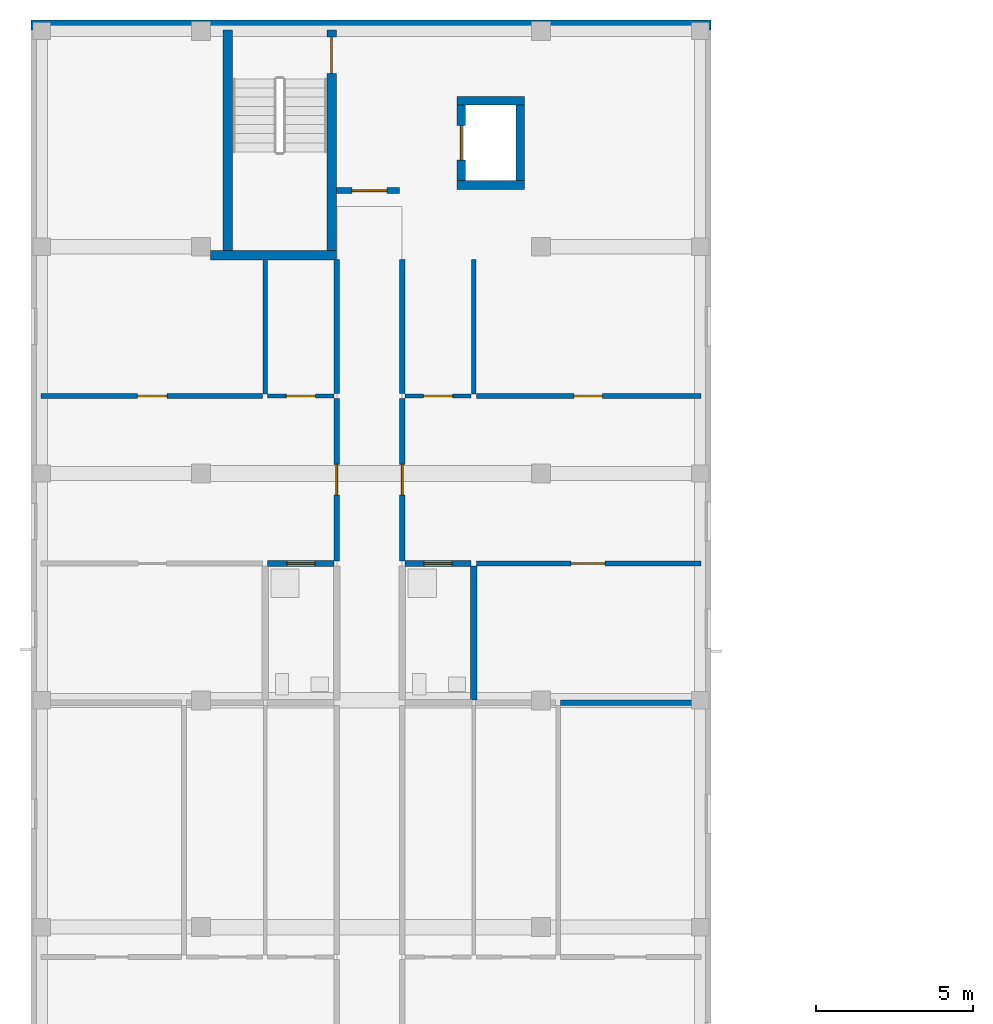
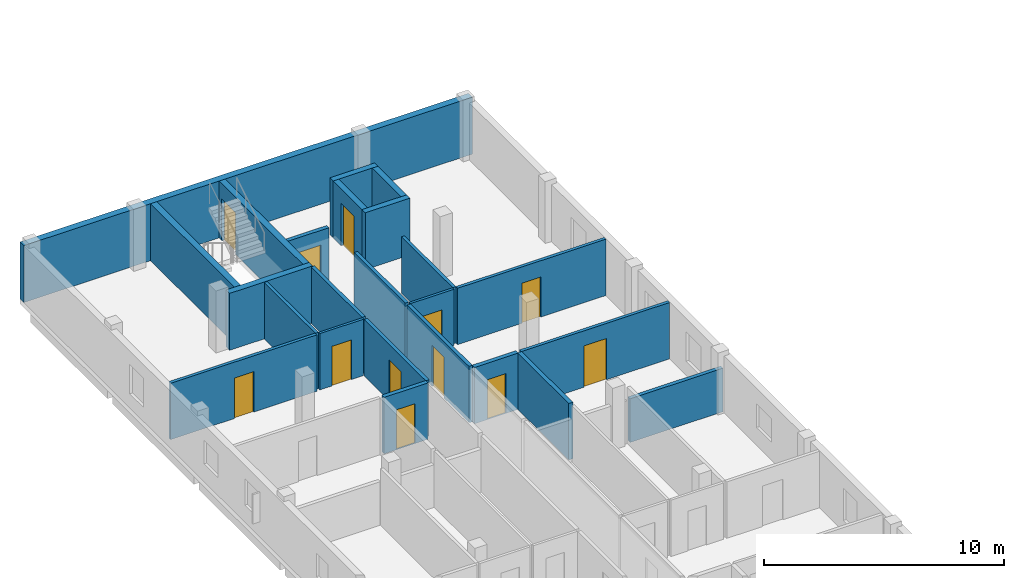
# One storey, part 18 of 38: 24 walls, 12 doors, 12 openings.
"""IFC4 building model written with IfcOpenShell, lengths in metres."""

from ifc_helpers import new_model, si_unit, derived_unit, direction, frame, frame_2d, origin, place, context, subcontext, project, spatial, rectangle, extrude, material, layer, layer_set, type_object, element, fill, save


model = new_model("IFC4")

# Units and contexts
model_context = context("Model", 3, precision=1e-05, world=origin(), true_north=direction((0.0, 1.0)))
body_context = subcontext(model_context, "Body", "Model", "MODEL_VIEW")
ifc_project = project(units=[si_unit("LENGTHUNIT", "METRE"), si_unit("AREAUNIT", "SQUARE_METRE"), si_unit("VOLUMEUNIT", "CUBIC_METRE"), si_unit("PLANEANGLEUNIT", "RADIAN"), si_unit("MASSUNIT", "GRAM", prefix="KILO"), derived_unit("THERMALTRANSMITTANCEUNIT", [(si_unit("MASSUNIT", "GRAM", prefix="KILO"), 1), (si_unit("TIMEUNIT", "SECOND"), -3), (si_unit("THERMODYNAMICTEMPERATUREUNIT", "KELVIN"), -1)])], contexts=[model_context])

# Site, building, storey
site_placement = place(None, origin())
site = spatial("IfcSite", under=ifc_project, at=site_placement, CompositionType="ELEMENT")
building_placement = place(site_placement, origin())
building = spatial("IfcBuilding", under=site, at=building_placement, Name="Ochrekiln Boulevard Commons", CompositionType="ELEMENT")
storey_placement = place(building_placement, frame((0.0, 0.0, 24.675048828125)))
storey = spatial("IfcBuildingStorey", under=building, at=storey_placement, Name="L07", CompositionType="ELEMENT", Elevation=24.675048828125)

# Wall
ifc_material_1 = material(Name="Desert ochre clinker brick masonry ASTM C216 Grade SW", Category="masonry")
ifc_layer_1 = layer(ifc_material_1, 0.320068359375)
ifc_layer_set_1 = layer_set([ifc_layer_1], Name="Desert ochre clinker brick masonry ASTM C216 Grade SW")
wall_type_1 = type_object("IfcWallType", Name="WL-EXT-OCHRE-320", PredefinedType="SOLIDWALL", material=ifc_layer_set_1)
wall_1_placement = place(storey_placement, frame((0.0, 118.639892578125, 0.0), z_axis=(0.0, 0.0, 1.0), x_axis=(1.0, 0.0, 0.0)))
element("IfcWall", 1, at=wall_1_placement, inside=storey, type_object=wall_type_1, Name="Block A L07 N Exterior Wall", PredefinedType="SOLIDWALL", context=body_context, shape_type="SweptSolid", body=[
    extrude(rectangle(XDim=21.60009765625, YDim=0.320068359375, at=frame_2d((10.800048828125, 0.0))), origin(), (0.0, 0.0, 1.0), 2.89990234375),
])

# Wall, opening, door
ifc_material_2 = material(Name="Moisture-resistant cementitious tile backer wall")
ifc_layer_2 = layer(ifc_material_2, 0.199951171875)
ifc_layer_set_2 = layer_set([ifc_layer_2], Name="Moisture-resistant cementitious tile backer wall")
wall_type_2 = type_object("IfcWallType", Name="WL-PLM-200", PredefinedType="PLUMBINGWALL", material=ifc_layer_set_2)
wall_2_placement = place(storey_placement, frame((7.52001953125, 101.547119140625, 0.0), z_axis=(0.0, 0.0, 1.0), x_axis=(1.0, 0.0, 0.0)))
wall_2 = element("IfcWall", 2, at=wall_2_placement, inside=storey, type_object=wall_type_2, Name="L07 Interior Wall W-PW200", PredefinedType="PLUMBINGWALL", context=body_context, shape_type="SweptSolid", body=[
    extrude(rectangle(XDim=2.10791015625, YDim=0.199951171875, at=frame_2d((1.053955078125, 0.0))), origin(), (0.0, 0.0, 1.0), 2.869873046875),
])
opening_1_placement = place(wall_2_placement, frame((0.60498046875, 0.0, 0.0)))
opening_1 = element("IfcOpeningElement", 3, at=opening_1_placement, cuts=wall_2, Name="Opening D-L07-910", PredefinedType="OPENING", context=body_context, shape_type="SweptSolid", body=[
    extrude(rectangle(XDim=0.889892578125, YDim=2.030029296875, at=frame_2d((0.44482421875, 1.01513671875))), frame((0.0, 0.10986328125, 0.0), z_axis=(0.0, -1.0, 0.0), x_axis=(1.0, 0.0, 0.0)), (0.0, 0.0, 1.0), 0.219970703125),
])
ifc_material_3 = material(Name="Solid core architectural oak door leaf")
door_type_1 = type_object("IfcDoorType", Name="DR-INT-BTH-089", OperationType="NOTDEFINED", PredefinedType="DOOR", material=ifc_material_3)
door_1_placement = place(opening_1_placement, frame((0.889892578125, 0.0, 0.0), z_axis=(0.0, 0.0, 1.0), x_axis=(-1.0, 0.0, 0.0)))
door_1 = element("IfcDoor", 4, at=door_1_placement, inside=storey, type_object=door_type_1, Name="L07 Interior Door to Apartment Bathroom", OperationType="SINGLE_SWING_RIGHT", OverallHeight=2.030029296875, OverallWidth=0.889892578125, PredefinedType="DOOR", context=body_context, shape_type="SweptSolid", body=[
    extrude(rectangle(XDim=0.889892578125, YDim=2.030029296875, at=frame_2d((0.44482421875, 1.01513671875))), frame((0.0, 0.02490234375, 0.0), z_axis=(0.0, -1.0, 0.0), x_axis=(1.0, 0.0, 0.0)), (0.0, 0.0, 1.0), 0.050048828125),
])
fill(opening_1, door_1)

wall_3_placement = place(storey_placement, frame((11.8720703125, 101.547119140625, 0.0), z_axis=(0.0, 0.0, 1.0), x_axis=(1.0, 0.0, 0.0)))
wall_3 = element("IfcWall", 5, at=wall_3_placement, inside=storey, type_object=wall_type_2, Name="L07 Interior Wall W-PW200", PredefinedType="PLUMBINGWALL", context=body_context, shape_type="SweptSolid", body=[
    extrude(rectangle(XDim=2.10791015625, YDim=0.199951171875, at=frame_2d((1.053955078125, 0.0))), origin(), (0.0, 0.0, 1.0), 2.869873046875),
])
opening_2_placement = place(wall_3_placement, frame((0.613037109375, 0.0, 0.0)))
opening_2 = element("IfcOpeningElement", 6, at=opening_2_placement, cuts=wall_3, Name="Opening D-L07-921", PredefinedType="OPENING", context=body_context, shape_type="SweptSolid", body=[
    extrude(rectangle(XDim=0.889892578125, YDim=2.030029296875, at=frame_2d((0.44482421875, 1.01513671875))), frame((0.0, 0.10986328125, 0.0), z_axis=(0.0, -1.0, 0.0), x_axis=(1.0, 0.0, 0.0)), (0.0, 0.0, 1.0), 0.219970703125),
])
door_2_placement = place(opening_2_placement, frame((0.889892578125, 0.0, 0.0), z_axis=(0.0, 0.0, 1.0), x_axis=(-1.0, 0.0, 0.0)))
door_2 = element("IfcDoor", 7, at=door_2_placement, inside=storey, type_object=door_type_1, Name="L07 Interior Door to Apartment Bathroom", OperationType="SINGLE_SWING_LEFT", OverallHeight=2.030029296875, OverallWidth=0.889892578125, PredefinedType="DOOR", context=body_context, shape_type="SweptSolid", body=[
    extrude(rectangle(XDim=0.889892578125, YDim=2.030029296875, at=frame_2d((0.44482421875, 1.01513671875))), frame((0.0, 0.02490234375, 0.0), z_axis=(0.0, -1.0, 0.0), x_axis=(1.0, 0.0, 0.0)), (0.0, 0.0, 1.0), 0.050048828125),
])
fill(opening_2, door_2)

# Wall
wall_4_placement = place(storey_placement, frame((14.06005859375, 97.2099609375, 0.0), z_axis=(0.0, 0.0, 1.0), x_axis=(0.0, 1.0, 0.0)))
element("IfcWall", 8, at=wall_4_placement, inside=storey, type_object=wall_type_2, Name="L07 Interior Wall W-PW200", PredefinedType="PLUMBINGWALL", context=body_context, shape_type="SweptSolid", body=[
    extrude(rectangle(XDim=4.257080078125, YDim=0.199951171875, at=frame_2d((2.12841796875, 0.0))), origin(), (0.0, 0.0, 1.0), 2.869873046875),
])

# Wall, opening, door
ifc_material_4 = material(Name="Fire-rated Type X gypsum board on steel studs", Category="steel")
ifc_layer_3 = layer(ifc_material_4, 0.1650390625)
ifc_layer_set_3 = layer_set([ifc_layer_3], Name="Fire-rated Type X gypsum board on steel studs")
wall_type_3 = type_object("IfcWallType", Name="WL-PT-CORR-165", PredefinedType="PARTITIONING", material=ifc_layer_set_3)
wall_5_placement = place(storey_placement, frame((9.7099609375, 101.626953125, 0.0), z_axis=(0.0, 0.0, 1.0), x_axis=(0.0, 1.0, 0.0)))
wall_5 = element("IfcWall", 9, at=wall_5_placement, inside=storey, type_object=wall_type_3, Name="L07 Interior Wall W-PC165", PredefinedType="PARTITIONING", context=body_context, shape_type="SweptSolid", body=[
    extrude(rectangle(XDim=5.156005859375, YDim=0.1650390625, at=frame_2d((2.578125, 0.0))), origin(), (0.0, 0.0, 1.0), 2.869873046875),
])
opening_3_placement = place(wall_5_placement, frame((2.087890625, 0.0, 0.0)))
opening_3 = element("IfcOpeningElement", 10, at=opening_3_placement, cuts=wall_5, Name="Opening D-L07-900", PredefinedType="OPENING", context=body_context, shape_type="SweptSolid", body=[
    extrude(rectangle(XDim=0.97998046875, YDim=2.080078125, at=frame_2d((0.489990234375, 1.0400390625))), frame((0.0, 0.092529296875, 0.0), z_axis=(0.0, -1.0, 0.0), x_axis=(1.0, 0.0, 0.0)), (0.0, 0.0, 1.0), 0.18505859375),
])
door_type_2 = type_object("IfcDoorType", Name="DR-APT-60", OperationType="NOTDEFINED", PredefinedType="DOOR", material=ifc_material_3)
door_3_placement = place(opening_3_placement, origin())
door_3 = element("IfcDoor", 11, at=door_3_placement, inside=storey, type_object=door_type_2, Name="L07 Interior Door to Two-Bedroom Apartment Living Room", OperationType="SINGLE_SWING_RIGHT", OverallHeight=2.080078125, OverallWidth=0.97998046875, PredefinedType="DOOR", context=body_context, shape_type="SweptSolid", body=[
    extrude(rectangle(XDim=0.97998046875, YDim=2.080078125, at=frame_2d((0.489990234375, 1.0400390625))), frame((0.0, 0.02490234375, 0.0), z_axis=(0.0, -1.0, 0.0), x_axis=(1.0, 0.0, 0.0)), (0.0, 0.0, 1.0), 0.050048828125),
])
fill(opening_3, door_3)

# Wall
wall_6_placement = place(storey_placement, frame((9.7099609375, 106.943115234375, 0.0), z_axis=(0.0, 0.0, 1.0), x_axis=(0.0, 1.0, 0.0)))
element("IfcWall", 12, at=wall_6_placement, inside=storey, type_object=wall_type_3, Name="L07 Interior Wall W-PC165", PredefinedType="PARTITIONING", context=body_context, shape_type="SweptSolid", body=[
    extrude(rectangle(XDim=4.2568359375, YDim=0.1650390625, at=frame_2d((2.12841796875, 0.0))), origin(), (0.0, 0.0, 1.0), 2.869873046875),
])

# Wall, opening, door
wall_7_placement = place(storey_placement, frame((11.7900390625, 101.626953125, 0.0), z_axis=(0.0, 0.0, 1.0), x_axis=(0.0, 1.0, 0.0)))
wall_7 = element("IfcWall", 13, at=wall_7_placement, inside=storey, type_object=wall_type_3, Name="L07 Interior Wall W-PC165", PredefinedType="PARTITIONING", context=body_context, shape_type="SweptSolid", body=[
    extrude(rectangle(XDim=5.156005859375, YDim=0.1650390625, at=frame_2d((2.578125, 0.0))), origin(), (0.0, 0.0, 1.0), 2.869873046875),
])
opening_4_placement = place(wall_7_placement, frame((2.087890625, 0.0, 0.0)))
opening_4 = element("IfcOpeningElement", 14, at=opening_4_placement, cuts=wall_7, Name="Opening D-L07-902", PredefinedType="OPENING", context=body_context, shape_type="SweptSolid", body=[
    extrude(rectangle(XDim=0.97998046875, YDim=2.080078125, at=frame_2d((0.489990234375, 1.0400390625))), frame((0.0, 0.092529296875, 0.0), z_axis=(0.0, -1.0, 0.0), x_axis=(1.0, 0.0, 0.0)), (0.0, 0.0, 1.0), 0.18505859375),
])
door_4_placement = place(opening_4_placement, frame((0.97998046875, 0.0, 0.0), z_axis=(0.0, 0.0, 1.0), x_axis=(-1.0, 0.0, 0.0)))
door_4 = element("IfcDoor", 15, at=door_4_placement, inside=storey, type_object=door_type_2, Name="L07 Interior Door to Two-Bedroom Apartment Living Room", OperationType="SINGLE_SWING_RIGHT", OverallHeight=2.080078125, OverallWidth=0.97998046875, PredefinedType="DOOR", context=body_context, shape_type="SweptSolid", body=[
    extrude(rectangle(XDim=0.97998046875, YDim=2.080078125, at=frame_2d((0.489990234375, 1.0400390625))), frame((0.0, 0.02490234375, 0.0), z_axis=(0.0, -1.0, 0.0), x_axis=(1.0, 0.0, 0.0)), (0.0, 0.0, 1.0), 0.050048828125),
])
fill(opening_4, door_4)

# Walls
wall_8_placement = place(storey_placement, frame((11.7900390625, 106.943115234375, 0.0), z_axis=(0.0, 0.0, 1.0), x_axis=(0.0, 1.0, 0.0)))
element("IfcWall", 16, at=wall_8_placement, inside=storey, type_object=wall_type_3, Name="L07 Interior Wall W-PC165", PredefinedType="PARTITIONING", context=body_context, shape_type="SweptSolid", body=[
    extrude(rectangle(XDim=4.2568359375, YDim=0.1650390625, at=frame_2d((2.12841796875, 0.0))), origin(), (0.0, 0.0, 1.0), 2.869873046875),
])
ifc_layer_4 = layer(ifc_material_4, 0.179931640625)
ifc_layer_set_4 = layer_set([ifc_layer_4], Name="Fire-rated Type X gypsum board on steel studs")
wall_type_4 = type_object("IfcWallType", Name="WL-PT-DEM-180", PredefinedType="PARTITIONING", material=ifc_layer_set_4)
wall_9_placement = place(storey_placement, frame((16.81494140625, 97.1201171875, 0.0), z_axis=(0.0, 0.0, 1.0), x_axis=(1.0, 0.0, 0.0)))
element("IfcWall", 17, at=wall_9_placement, inside=storey, type_object=wall_type_4, Name="L07 Interior Wall W-PD180", PredefinedType="PARTITIONING", context=body_context, shape_type="SweptSolid", body=[
    extrude(rectangle(XDim=4.465087890625, YDim=0.179931640625, at=frame_2d((2.232421875, 0.0))), origin(), (0.0, 0.0, 1.0), 2.219970703125),
])

# Wall, opening, door
ifc_layer_5 = layer(ifc_material_4, 0.18994140625)
ifc_layer_set_5 = layer_set([ifc_layer_5], Name="Fire-rated Type X gypsum board on steel studs")
wall_type_5 = type_object("IfcWallType", Name="WL-PT-LBY-190", PredefinedType="PARTITIONING", material=ifc_layer_set_5)
wall_10_placement = place(storey_placement, frame((9.699951171875, 113.3798828125, 0.0), z_axis=(0.0, 0.0, 1.0), x_axis=(1.0, 0.0, 0.0)))
wall_10 = element("IfcWall", 18, at=wall_10_placement, inside=storey, type_object=wall_type_5, Name="L07 Interior Wall W-PL190", PredefinedType="PARTITIONING", context=body_context, shape_type="SweptSolid", body=[
    extrude(rectangle(XDim=2.0, YDim=0.18994140625, at=frame_2d((1.0, 0.0))), origin(), (0.0, 0.0, 1.0), 2.869873046875),
])
opening_5_placement = place(wall_10_placement, frame((0.5, 0.0, 0.0)))
opening_5 = element("IfcOpeningElement", 19, at=opening_5_placement, cuts=wall_10, Name="Opening D-L07-897", PredefinedType="OPENING", context=body_context, shape_type="SweptSolid", body=[
    extrude(rectangle(XDim=1.10009765625, YDim=2.1201171875, at=frame_2d((0.550048828125, 1.06005859375))), frame((0.0, 0.10498046875, 0.0), z_axis=(0.0, -1.0, 0.0), x_axis=(1.0, 0.0, 0.0)), (0.0, 0.0, 1.0), 0.2099609375),
])
ifc_material_5 = material(Name="Hollow metal fire-rated steel door assembly", Category="steel")
door_type_3 = type_object("IfcDoorType", Name="DR-LOBBY-60", OperationType="NOTDEFINED", PredefinedType="DOOR", material=ifc_material_5)
door_5_placement = place(opening_5_placement, origin())
door_5 = element("IfcDoor", 20, at=door_5_placement, inside=storey, type_object=door_type_3, Name="L07 Interior Door to Fire Service Access Elevator Lobby", OperationType="SINGLE_SWING_LEFT", OverallHeight=2.1201171875, OverallWidth=1.10009765625, PredefinedType="DOOR", context=body_context, shape_type="SweptSolid", body=[
    extrude(rectangle(XDim=1.10009765625, YDim=2.1201171875, at=frame_2d((0.550048828125, 1.06005859375))), frame((0.0, 0.02490234375, 0.0), z_axis=(0.0, -1.0, 0.0), x_axis=(1.0, 0.0, 0.0)), (0.0, 0.0, 1.0), 0.050048828125),
])
fill(opening_5, door_5)

ifc_layer_6 = layer(ifc_material_4, 0.1201171875)
ifc_layer_set_6 = layer_set([ifc_layer_6], Name="Fire-rated Type X gypsum board on steel studs")
wall_type_6 = type_object("IfcWallType", Name="WL-PT-LGT-120", PredefinedType="PARTITIONING", material=ifc_layer_set_6)
wall_11_placement = place(storey_placement, frame((7.52001953125, 106.863037109375, 0.0), z_axis=(0.0, 0.0, 1.0), x_axis=(1.0, 0.0, 0.0)))
wall_11 = element("IfcWall", 21, at=wall_11_placement, inside=storey, type_object=wall_type_6, Name="L07 Interior Wall W-PL120", PredefinedType="PARTITIONING", context=body_context, shape_type="SweptSolid", body=[
    extrude(rectangle(XDim=2.10791015625, YDim=0.1201171875, at=frame_2d((1.053955078125, 0.0))), origin(), (0.0, 0.0, 1.0), 2.869873046875),
])
opening_6_placement = place(wall_11_placement, frame((0.590087890625, 0.0, 0.0)))
opening_6 = element("IfcOpeningElement", 22, at=opening_6_placement, cuts=wall_11, Name="Opening D-L07-911", PredefinedType="OPENING", context=body_context, shape_type="SweptSolid", body=[
    extrude(rectangle(XDim=0.919921875, YDim=2.02001953125, at=frame_2d((0.4599609375, 1.010009765625))), frame((0.0, 0.070068359375, 0.0), z_axis=(0.0, -1.0, 0.0), x_axis=(1.0, 0.0, 0.0)), (0.0, 0.0, 1.0), 0.14013671875),
])
door_type_4 = type_object("IfcDoorType", Name="DR-INT-KIT-092", OperationType="NOTDEFINED", PredefinedType="DOOR", material=ifc_material_3)
door_6_placement = place(opening_6_placement, origin())
door_6 = element("IfcDoor", 23, at=door_6_placement, inside=storey, type_object=door_type_4, Name="L07 Interior Door to Apartment Kitchen", OperationType="SINGLE_SWING_LEFT", OverallHeight=2.02001953125, OverallWidth=0.919921875, PredefinedType="DOOR", context=body_context, shape_type="SweptSolid", body=[
    extrude(rectangle(XDim=0.919921875, YDim=2.02001953125, at=frame_2d((0.4599609375, 1.010009765625))), frame((0.0, 0.02490234375, 0.0), z_axis=(0.0, -1.0, 0.0), x_axis=(1.0, 0.0, 0.0)), (0.0, 0.0, 1.0), 0.050048828125),
])
fill(opening_6, door_6)

wall_12_placement = place(storey_placement, frame((11.8720703125, 106.863037109375, 0.0), z_axis=(0.0, 0.0, 1.0), x_axis=(1.0, 0.0, 0.0)))
wall_12 = element("IfcWall", 24, at=wall_12_placement, inside=storey, type_object=wall_type_6, Name="L07 Interior Wall W-PL120", PredefinedType="PARTITIONING", context=body_context, shape_type="SweptSolid", body=[
    extrude(rectangle(XDim=2.10791015625, YDim=0.1201171875, at=frame_2d((1.053955078125, 0.0))), origin(), (0.0, 0.0, 1.0), 2.869873046875),
])
opening_7_placement = place(wall_12_placement, frame((0.597900390625, 0.0, 0.0)))
opening_7 = element("IfcOpeningElement", 25, at=opening_7_placement, cuts=wall_12, Name="Opening D-L07-922", PredefinedType="OPENING", context=body_context, shape_type="SweptSolid", body=[
    extrude(rectangle(XDim=0.919921875, YDim=2.02001953125, at=frame_2d((0.4599609375, 1.010009765625))), frame((0.0, 0.070068359375, 0.0), z_axis=(0.0, -1.0, 0.0), x_axis=(1.0, 0.0, 0.0)), (0.0, 0.0, 1.0), 0.14013671875),
])
door_7_placement = place(opening_7_placement, origin())
door_7 = element("IfcDoor", 26, at=door_7_placement, inside=storey, type_object=door_type_4, Name="L07 Interior Door to Apartment Kitchen", OperationType="SINGLE_SWING_RIGHT", OverallHeight=2.02001953125, OverallWidth=0.919921875, PredefinedType="DOOR", context=body_context, shape_type="SweptSolid", body=[
    extrude(rectangle(XDim=0.919921875, YDim=2.02001953125, at=frame_2d((0.4599609375, 1.010009765625))), frame((0.0, 0.02490234375, 0.0), z_axis=(0.0, -1.0, 0.0), x_axis=(1.0, 0.0, 0.0)), (0.0, 0.0, 1.0), 0.050048828125),
])
fill(opening_7, door_7)

ifc_layer_7 = layer(ifc_material_4, 0.14990234375)
ifc_layer_set_7 = layer_set([ifc_layer_7], Name="Fire-rated Type X gypsum board on steel studs")
wall_type_7 = type_object("IfcWallType", Name="WL-PT-STD-150", PredefinedType="PARTITIONING", material=ifc_layer_set_7)
wall_13_placement = place(storey_placement, frame((0.320068359375, 106.863037109375, 0.0), z_axis=(0.0, 0.0, 1.0), x_axis=(1.0, 0.0, 0.0)))
wall_13 = element("IfcWall", 27, at=wall_13_placement, inside=storey, type_object=wall_type_7, Name="L07 Interior Wall W-PS150", PredefinedType="PARTITIONING", context=body_context, shape_type="SweptSolid", body=[
    extrude(rectangle(XDim=7.0400390625, YDim=0.14990234375, at=frame_2d((3.52001953125, 0.0))), origin(), (0.0, 0.0, 1.0), 2.869873046875),
])
opening_8_placement = place(wall_13_placement, frame((3.06494140625, 0.0, 0.0)))
opening_8 = element("IfcOpeningElement", 28, at=opening_8_placement, cuts=wall_13, Name="Opening D-L07-913", PredefinedType="OPENING", context=body_context, shape_type="SweptSolid", body=[
    extrude(rectangle(XDim=0.93994140625, YDim=2.06005859375, at=frame_2d((0.469970703125, 1.030029296875))), frame((0.0, 0.0849609375, 0.0), z_axis=(0.0, -1.0, 0.0), x_axis=(1.0, 0.0, 0.0)), (0.0, 0.0, 1.0), 0.169921875),
])
door_type_5 = type_object("IfcDoorType", Name="DR-INT-BED-094", OperationType="NOTDEFINED", PredefinedType="DOOR", material=ifc_material_3)
door_8_placement = place(opening_8_placement, origin())
door_8 = element("IfcDoor", 29, at=door_8_placement, inside=storey, type_object=door_type_5, Name="L07 Interior Door to Secondary Apartment Bedroom", OperationType="SINGLE_SWING_LEFT", OverallHeight=2.06005859375, OverallWidth=0.93994140625, PredefinedType="DOOR", context=body_context, shape_type="SweptSolid", body=[
    extrude(rectangle(XDim=0.93994140625, YDim=2.06005859375, at=frame_2d((0.469970703125, 1.030029296875))), frame((0.0, 0.02490234375, 0.0), z_axis=(0.0, -1.0, 0.0), x_axis=(1.0, 0.0, 0.0)), (0.0, 0.0, 1.0), 0.050048828125),
])
fill(opening_8, door_8)

# Wall
wall_14_placement = place(storey_placement, frame((7.43994140625, 106.923095703125, 0.0), z_axis=(0.0, 0.0, 1.0), x_axis=(0.0, 1.0, 0.0)))
element("IfcWall", 30, at=wall_14_placement, inside=storey, type_object=wall_type_7, Name="L07 Interior Wall W-PS150", PredefinedType="PARTITIONING", context=body_context, shape_type="SweptSolid", body=[
    extrude(rectangle(XDim=4.27685546875, YDim=0.14990234375, at=frame_2d((2.138427734375, 0.0))), origin(), (0.0, 0.0, 1.0), 2.869873046875),
])

# Wall, opening, door
wall_15_placement = place(storey_placement, frame((14.139892578125, 101.547119140625, 0.0), z_axis=(0.0, 0.0, 1.0), x_axis=(1.0, 0.0, 0.0)))
wall_15 = element("IfcWall", 31, at=wall_15_placement, inside=storey, type_object=wall_type_7, Name="L07 Interior Wall W-PS150", PredefinedType="PARTITIONING", context=body_context, shape_type="SweptSolid", body=[
    extrude(rectangle(XDim=7.14013671875, YDim=0.14990234375, at=frame_2d((3.570068359375, 0.0))), origin(), (0.0, 0.0, 1.0), 2.869873046875),
])
opening_9_placement = place(wall_15_placement, frame((3.014892578125, 0.0, 0.0)))
opening_9 = element("IfcOpeningElement", 32, at=opening_9_placement, cuts=wall_15, Name="Opening D-L07-923", PredefinedType="OPENING", context=body_context, shape_type="SweptSolid", body=[
    extrude(rectangle(XDim=1.080078125, YDim=2.10009765625, at=frame_2d((0.5400390625, 1.050048828125))), frame((0.0, 0.0849609375, 0.0), z_axis=(0.0, -1.0, 0.0), x_axis=(1.0, 0.0, 0.0)), (0.0, 0.0, 1.0), 0.169921875),
])
door_type_6 = type_object("IfcDoorType", Name="DR-INT-BED-108", OperationType="NOTDEFINED", PredefinedType="DOOR", material=ifc_material_3)
door_9_placement = place(opening_9_placement, frame((1.080078125, 0.0, 0.0), z_axis=(0.0, 0.0, 1.0), x_axis=(-1.0, 0.0, 0.0)))
door_9 = element("IfcDoor", 33, at=door_9_placement, inside=storey, type_object=door_type_6, Name="L07 Interior Door to Primary Apartment Bedroom", OperationType="SINGLE_SWING_LEFT", OverallHeight=2.10009765625, OverallWidth=1.080078125, PredefinedType="DOOR", context=body_context, shape_type="SweptSolid", body=[
    extrude(rectangle(XDim=1.080078125, YDim=2.10009765625, at=frame_2d((0.5400390625, 1.050048828125))), frame((0.0, 0.02490234375, 0.0), z_axis=(0.0, -1.0, 0.0), x_axis=(1.0, 0.0, 0.0)), (0.0, 0.0, 1.0), 0.050048828125),
])
fill(opening_9, door_9)

wall_16_placement = place(storey_placement, frame((14.139892578125, 106.863037109375, 0.0), z_axis=(0.0, 0.0, 1.0), x_axis=(1.0, 0.0, 0.0)))
wall_16 = element("IfcWall", 34, at=wall_16_placement, inside=storey, type_object=wall_type_7, Name="L07 Interior Wall W-PS150", PredefinedType="PARTITIONING", context=body_context, shape_type="SweptSolid", body=[
    extrude(rectangle(XDim=7.14013671875, YDim=0.14990234375, at=frame_2d((3.570068359375, 0.0))), origin(), (0.0, 0.0, 1.0), 2.869873046875),
])
opening_10_placement = place(wall_16_placement, frame((3.10498046875, 0.0, 0.0)))
opening_10 = element("IfcOpeningElement", 35, at=opening_10_placement, cuts=wall_16, Name="Opening D-L07-924", PredefinedType="OPENING", context=body_context, shape_type="SweptSolid", body=[
    extrude(rectangle(XDim=0.89990234375, YDim=2.0400390625, at=frame_2d((0.449951171875, 1.02001953125))), frame((0.0, 0.0849609375, 0.0), z_axis=(0.0, -1.0, 0.0), x_axis=(1.0, 0.0, 0.0)), (0.0, 0.0, 1.0), 0.169921875),
])
door_type_7 = type_object("IfcDoorType", Name="DR-INT-BED-090", OperationType="NOTDEFINED", PredefinedType="DOOR", material=ifc_material_3)
door_10_placement = place(opening_10_placement, origin())
door_10 = element("IfcDoor", 36, at=door_10_placement, inside=storey, type_object=door_type_7, Name="L07 Interior Door to Secondary Apartment Bedroom", OperationType="SINGLE_SWING_RIGHT", OverallHeight=2.0400390625, OverallWidth=0.89990234375, PredefinedType="DOOR", context=body_context, shape_type="SweptSolid", body=[
    extrude(rectangle(XDim=0.89990234375, YDim=2.0400390625, at=frame_2d((0.449951171875, 1.02001953125))), frame((0.0, 0.02490234375, 0.0), z_axis=(0.0, -1.0, 0.0), x_axis=(1.0, 0.0, 0.0)), (0.0, 0.0, 1.0), 0.050048828125),
])
fill(opening_10, door_10)

# Walls
wall_17_placement = place(storey_placement, frame((14.06005859375, 106.923095703125, 0.0), z_axis=(0.0, 0.0, 1.0), x_axis=(0.0, 1.0, 0.0)))
element("IfcWall", 37, at=wall_17_placement, inside=storey, type_object=wall_type_7, Name="L07 Interior Wall W-PS150", PredefinedType="PARTITIONING", context=body_context, shape_type="SweptSolid", body=[
    extrude(rectangle(XDim=4.27685546875, YDim=0.14990234375, at=frame_2d((2.138427734375, 0.0))), origin(), (0.0, 0.0, 1.0), 2.869873046875),
])
ifc_material_6 = material(Name="Concrete C40/50", Category="concrete")
ifc_layer_8 = layer(ifc_material_6, 0.27490234375)
ifc_layer_set_8 = layer_set([ifc_layer_8], Name="Concrete C40/50")
wall_type_8 = type_object("IfcWallType", Name="WL-SH-275", PredefinedType="SHEAR", material=ifc_layer_set_8)
for number, where, z_axis, x_axis, name in (
    (38, (13.52490234375, 113.5625, 0.0), (0.0, 0.0, 1.0), (1.0, 0.0, 0.0), "Elevator FF-A2 L07 Hoistway Shear Wall"),
    (39, (13.52490234375, 116.237548828125, 0.0), (0.0, 0.0, 1.0), (1.0, 0.0, 0.0), "Elevator FF-A2 L07 Hoistway Shear Wall"),
):
    element("IfcWall", number, at=place(storey_placement, frame(where, z_axis=z_axis, x_axis=x_axis)), inside=storey, type_object=wall_type_8, Name=name, PredefinedType="SHEAR", context=body_context, shape_type="SweptSolid", body=[
        extrude(rectangle(XDim=2.150146484375, YDim=0.27490234375, at=frame_2d((1.0751953125, 0.0))), origin(), (0.0, 0.0, 1.0), 2.89990234375),
    ])

# Wall, opening, door
wall_18_placement = place(storey_placement, frame((13.66259765625, 113.699951171875, 0.0), z_axis=(0.0, 0.0, 1.0), x_axis=(0.0, 1.0, 0.0)))
wall_18 = element("IfcWall", 40, at=wall_18_placement, inside=storey, type_object=wall_type_8, Name="Elevator FF-A2 L07 Hoistway Shear Wall", PredefinedType="SHEAR", context=body_context, shape_type="SweptSolid", body=[
    extrude(rectangle(XDim=2.400146484375, YDim=0.27490234375, at=frame_2d((1.2001953125, 0.0))), origin(), (0.0, 0.0, 1.0), 2.89990234375),
])
opening_11_placement = place(wall_18_placement, frame((0.64990234375, 0.0, 0.0)))
opening_11 = element("IfcOpeningElement", 41, at=opening_11_placement, cuts=wall_18, Name="Opening LD-FF-A2-L07", PredefinedType="OPENING", context=body_context, shape_type="SweptSolid", body=[
    extrude(rectangle(XDim=1.10009765625, YDim=2.14990234375, at=frame_2d((0.550048828125, 1.074951171875))), frame((0.0, 0.1474609375, 0.0), z_axis=(0.0, -1.0, 0.0), x_axis=(1.0, 0.0, 0.0)), (0.0, 0.0, 1.0), 0.294921875),
])
ifc_material_7 = material(Name="Brushed stainless steel 316 elevator cab and doors", Category="steel")
door_type_8 = type_object("IfcDoorType", Name="DR-LIFT-LD90", OperationType="SLIDING_TO_LEFT", PredefinedType="DOOR", material=ifc_material_7)
door_11_placement = place(opening_11_placement, origin())
door_11 = element("IfcDoor", 42, at=door_11_placement, inside=storey, type_object=door_type_8, Name="Elevator FF-A2 L07 Sliding Landing Door LD-FF-A2-L07", OperationType="SLIDING_TO_LEFT", OverallHeight=2.14990234375, OverallWidth=1.10009765625, PredefinedType="DOOR", context=body_context, shape_type="SweptSolid", body=[
    extrude(rectangle(XDim=1.10009765625, YDim=2.14990234375, at=frame_2d((0.550048828125, 1.074951171875))), frame((0.0, 0.02490234375, 0.0), z_axis=(0.0, -1.0, 0.0), x_axis=(1.0, 0.0, 0.0)), (0.0, 0.0, 1.0), 0.050048828125),
])
fill(opening_11, door_11)

# Walls
wall_19_placement = place(storey_placement, frame((15.53759765625, 113.699951171875, 0.0), z_axis=(0.0, 0.0, 1.0), x_axis=(0.0, 1.0, 0.0)))
element("IfcWall", 43, at=wall_19_placement, inside=storey, type_object=wall_type_8, Name="Elevator FF-A2 L07 Hoistway Shear Wall", PredefinedType="SHEAR", context=body_context, shape_type="SweptSolid", body=[
    extrude(rectangle(XDim=2.400146484375, YDim=0.27490234375, at=frame_2d((1.2001953125, 0.0))), origin(), (0.0, 0.0, 1.0), 2.89990234375),
])
ifc_layer_9 = layer(ifc_material_6, 0.300048828125)
ifc_layer_set_9 = layer_set([ifc_layer_9], Name="Concrete C40/50")
wall_type_9 = type_object("IfcWallType", Name="WL-SH-300", PredefinedType="SHEAR", material=ifc_layer_set_9)
wall_20_placement = place(storey_placement, frame((5.699951171875, 111.330078125, 0.0), z_axis=(0.0, 0.0, 1.0), x_axis=(1.0, 0.0, 0.0)))
element("IfcWall", 44, at=wall_20_placement, inside=storey, type_object=wall_type_9, Name="Stair ST-A2 L07 Core Shear Wall S", PredefinedType="SHEAR", context=body_context, shape_type="SweptSolid", body=[
    extrude(rectangle(XDim=4.0, YDim=0.300048828125, at=frame_2d((2.0, 0.0))), origin(), (0.0, 0.0, 1.0), 2.89990234375),
])
wall_21_placement = place(storey_placement, frame((6.25, 111.47998046875, 0.0), z_axis=(0.0, 0.0, 1.0), x_axis=(0.0, 1.0, 0.0)))
element("IfcWall", 45, at=wall_21_placement, inside=storey, type_object=wall_type_9, Name="Stair ST-A2 L07 Core Shear Wall W", PredefinedType="SHEAR", context=body_context, shape_type="SweptSolid", body=[
    extrude(rectangle(XDim=7.0, YDim=0.300048828125, at=frame_2d((3.5, 0.0))), origin(), (0.0, 0.0, 1.0), 2.89990234375),
])

# Wall, opening, door
wall_22_placement = place(storey_placement, frame((9.550048828125, 111.47998046875, 0.0), z_axis=(0.0, 0.0, 1.0), x_axis=(0.0, 1.0, 0.0)))
wall_22 = element("IfcWall", 46, at=wall_22_placement, inside=storey, type_object=wall_type_9, Name="Stair ST-A2 L07 Core Shear Wall E", PredefinedType="SHEAR", context=body_context, shape_type="SweptSolid", body=[
    extrude(rectangle(XDim=7.0, YDim=0.300048828125, at=frame_2d((3.5, 0.0))), origin(), (0.0, 0.0, 1.0), 2.89990234375),
])
opening_12_placement = place(wall_22_placement, frame((5.625, 0.0, 0.0)))
opening_12 = element("IfcOpeningElement", 47, at=opening_12_placement, cuts=wall_22, Name="Opening D-L07-ST-A2", PredefinedType="OPENING", context=body_context, shape_type="SweptSolid", body=[
    extrude(rectangle(XDim=1.14990234375, YDim=2.1201171875, at=frame_2d((0.574951171875, 1.06005859375))), frame((0.0, 0.159912109375, 0.0), z_axis=(0.0, -1.0, 0.0), x_axis=(1.0, 0.0, 0.0)), (0.0, 0.0, 1.0), 0.320068359375),
])
door_type_9 = type_object("IfcDoorType", Name="DR-STAIR-90", OperationType="NOTDEFINED", PredefinedType="DOOR", material=ifc_material_5)
door_12_placement = place(opening_12_placement, origin())
door_12 = element("IfcDoor", 48, at=door_12_placement, inside=storey, type_object=door_type_9, Name="Enclosed Exit Stair ST-A2 L07 Rated Door", OperationType="SINGLE_SWING_LEFT", OverallHeight=2.1201171875, OverallWidth=1.14990234375, PredefinedType="DOOR", context=body_context, shape_type="SweptSolid", body=[
    extrude(rectangle(XDim=1.14990234375, YDim=2.1201171875, at=frame_2d((0.574951171875, 1.06005859375))), frame((0.0, 0.02490234375, 0.0), z_axis=(0.0, -1.0, 0.0), x_axis=(1.0, 0.0, 0.0)), (0.0, 0.0, 1.0), 0.050048828125),
])
fill(opening_12, door_12)

save(model, "model.ifc")
